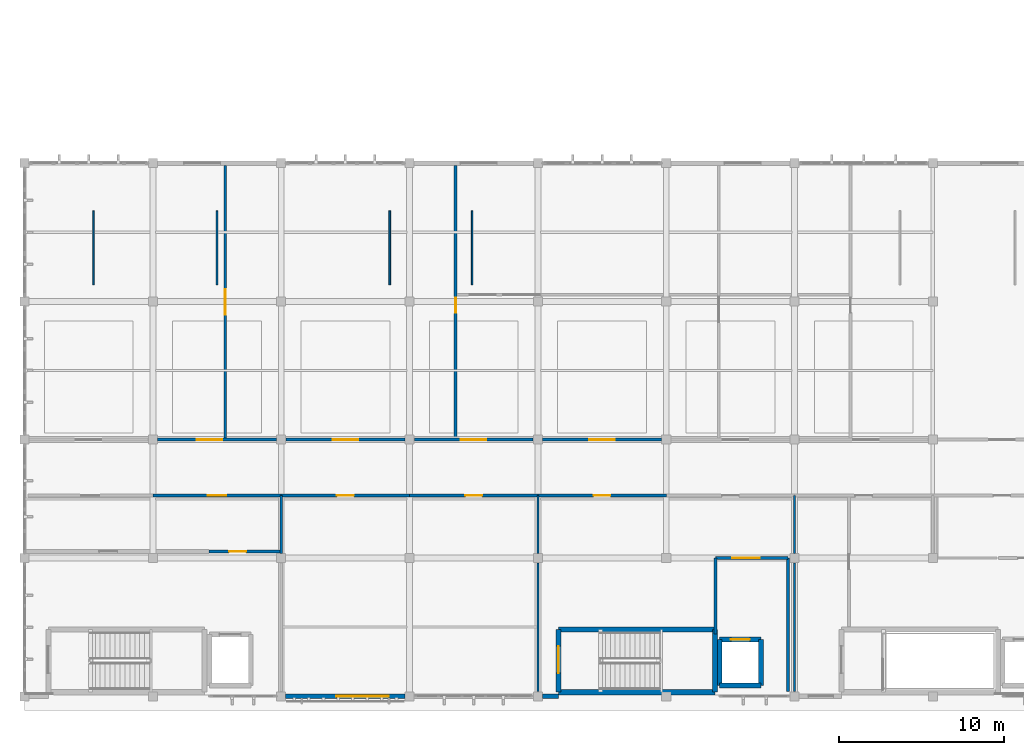
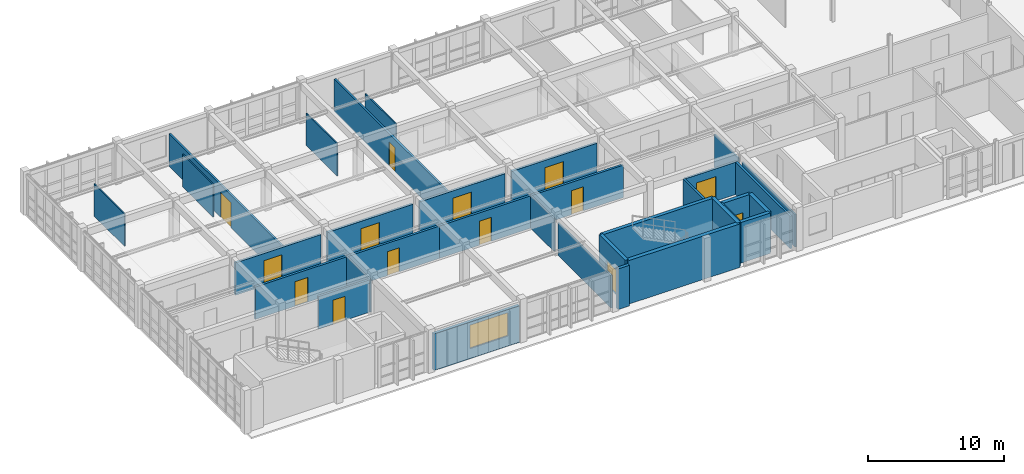
# One storey, part 22 of 35: 33 walls, 14 doors, 1 window, 15 openings.
"""IFC4 building model written with IfcOpenShell, lengths in metres."""

from ifc_helpers import new_model, si_unit, direction, frame, frame_2d, origin, place, context, subcontext, project, spatial, rectangle, extrude, material, layer, layer_set, type_object, element, fill, save


model = new_model("IFC4")

# Units and contexts
model_context = context("Model", 3, precision=1e-05, world=origin(), true_north=direction((0.0, 1.0)))
body_context = subcontext(model_context, "Body", "Model", "MODEL_VIEW")
ifc_project = project(units=[si_unit("LENGTHUNIT", "METRE"), si_unit("AREAUNIT", "SQUARE_METRE"), si_unit("VOLUMEUNIT", "CUBIC_METRE"), si_unit("PLANEANGLEUNIT", "RADIAN"), si_unit("MASSUNIT", "GRAM", prefix="KILO")], contexts=[model_context])

# Site, building, storey
site_placement = place(None, origin())
site = spatial("IfcSite", under=ifc_project, at=site_placement, CompositionType="ELEMENT")
building_placement = place(site_placement, origin())
building = spatial("IfcBuilding", under=site, at=building_placement, Name="Tizgana Railside Sports Hall", CompositionType="ELEMENT")
storey_placement = place(building_placement, frame((0.0, 0.0, 15.89990234375)))
storey = spatial("IfcBuildingStorey", under=building, at=storey_placement, Name="L03", CompositionType="ELEMENT", Elevation=15.89990234375)

# Wall, opening, door
ifc_material_1 = material(Name="Acoustic gypsum stud")
ifc_layer_1 = layer(ifc_material_1, 0.159912109375, Name="Acoustic gypsum stud")
ifc_layer_set_1 = layer_set([ifc_layer_1], Name="Acoustic gypsum stud")
wall_type_1 = type_object("IfcWallType", Name="Clinic Acoustic Partition 160", PredefinedType="STANDARD", material=ifc_layer_set_1)
wall_1_placement = place(storey_placement, frame((20.0, 15.64990234375, 0.0), z_axis=(0.0, 0.0, 1.0), x_axis=(0.0, 1.0, 0.0)))
wall_1 = element("IfcWall", 1, at=wall_1_placement, inside=storey, type_object=wall_type_1, Name="L03 Partition PWAL-0188", PredefinedType="STANDARD", context=body_context, shape_type="SweptSolid", body=[
    extrude(rectangle(XDim=16.610107421875, YDim=0.159912109375, at=frame_2d((8.30517578125, 0.0))), origin(), (0.0, 0.0, 1.0), 2.900146484375),
])
opening_1_placement = place(wall_1_placement, frame((7.52490234375, 0.0, 0.0)))
opening_1 = element("IfcOpeningElement", 2, at=opening_1_placement, cuts=wall_1, Name="Opening D-0209", PredefinedType="OPENING", context=body_context, shape_type="SweptSolid", body=[
    extrude(rectangle(XDim=1.550048828125, YDim=2.25, at=frame_2d((0.77490234375, 1.125))), frame((0.0, 0.08984375, 0.0), z_axis=(0.0, -1.0, 0.0), x_axis=(1.0, 0.0, 0.0)), (0.0, 0.0, 1.0), 0.179931640625),
])
ifc_material_2 = material(Name="Acoustic perforated timber", Category="wood")
door_type_1 = type_object("IfcDoorType", Name="Studio Acoustic Double Door 1550x2250", OperationType="NOTDEFINED", PredefinedType="DOOR", material=ifc_material_2)
door_1_placement = place(opening_1_placement, origin())
door_1 = element("IfcDoor", 3, at=door_1_placement, inside=storey, type_object=door_type_1, Name="L03 Door D-0209", OperationType="DOUBLE_DOOR_SINGLE_SWING", OverallHeight=2.25, OverallWidth=1.550048828125, PredefinedType="DOOR", context=body_context, shape_type="SweptSolid", body=[
    extrude(rectangle(XDim=1.550048828125, YDim=2.25, at=frame_2d((0.77490234375, 1.125))), frame((0.0, 0.02490234375, 0.0), z_axis=(0.0, -1.0, 0.0), x_axis=(1.0, 0.0, 0.0)), (0.0, 0.0, 1.0), 0.050048828125),
])
fill(opening_1, door_1)

# Wall
ifc_material_3 = material(Name="Concrete C40/50", Category="concrete")
ifc_layer_2 = layer(ifc_material_3, 0.300048828125, Name="Concrete C40/50")
ifc_layer_set_2 = layer_set([ifc_layer_2], Name="Concrete C40/50")
wall_type_2 = type_object("IfcWallType", Name="Core Shear Wall 300", PredefinedType="SHEAR", material=ifc_layer_set_2)
wall_2_placement = place(storey_placement, frame((40.25, 4.050048828125, 0.0), z_axis=(0.0, 0.0, 1.0), x_axis=(1.0, 0.0, 0.0)))
element("IfcWall", 4, at=wall_2_placement, inside=storey, type_object=wall_type_2, Name="L03 C2 Shaft Wall N", PredefinedType="SHEAR", context=body_context, shape_type="SweptSolid", body=[
    extrude(rectangle(XDim=9.5, YDim=0.300048828125, at=frame_2d((4.75, 0.0))), origin(), (0.0, 0.0, 1.0), 3.900146484375),
])

# Wall, opening, door
wall_3_placement = place(storey_placement, frame((40.25, 0.25, 0.0), z_axis=(0.0, 0.0, 1.0), x_axis=(0.0, 1.0, 0.0)))
wall_3 = element("IfcWall", 5, at=wall_3_placement, inside=storey, type_object=wall_type_2, Name="L03 C2 Shaft Wall W", PredefinedType="SHEAR", context=body_context, shape_type="SweptSolid", body=[
    extrude(rectangle(XDim=3.800048828125, YDim=0.300048828125, at=frame_2d((1.89990234375, 0.0))), origin(), (0.0, 0.0, 1.0), 3.900146484375),
])
opening_2_placement = place(wall_3_placement, frame((1.14990234375, 0.0, 0.0)))
opening_2 = element("IfcOpeningElement", 6, at=opening_2_placement, cuts=wall_3, Name="Opening D-0054", PredefinedType="OPENING", context=body_context, shape_type="SweptSolid", body=[
    extrude(rectangle(XDim=1.64990234375, YDim=2.199951171875, at=frame_2d((0.824951171875, 1.10009765625))), frame((0.0, 0.159912109375, 0.0), z_axis=(0.0, -1.0, 0.0), x_axis=(1.0, 0.0, 0.0)), (0.0, 0.0, 1.0), 0.320068359375),
])
ifc_material_4 = material(Name="Timber fire leaf", Category="wood")
door_type_2 = type_object("IfcDoorType", Name="Stair Core Double Fire Door 1650x2200", OperationType="NOTDEFINED", PredefinedType="DOOR", material=ifc_material_4)
door_2_placement = place(opening_2_placement, origin())
door_2 = element("IfcDoor", 7, at=door_2_placement, inside=storey, type_object=door_type_2, Name="L03 Door D-0054", OperationType="DOUBLE_DOOR_SINGLE_SWING", OverallHeight=2.199951171875, OverallWidth=1.64990234375, PredefinedType="DOOR", context=body_context, shape_type="SweptSolid", body=[
    extrude(rectangle(XDim=1.64990234375, YDim=2.199951171875, at=frame_2d((0.824951171875, 1.10009765625))), frame((0.0, 0.02490234375, 0.0), z_axis=(0.0, -1.0, 0.0), x_axis=(1.0, 0.0, 0.0)), (0.0, 0.0, 1.0), 0.050048828125),
])
fill(opening_2, door_2)

# Walls
wall_4_placement = place(storey_placement, frame((49.75, 0.25, 0.0), z_axis=(0.0, 0.0, 1.0), x_axis=(0.0, 1.0, 0.0)))
element("IfcWall", 8, at=wall_4_placement, inside=storey, type_object=wall_type_2, Name="L03 C2 Shaft Wall E", PredefinedType="SHEAR", context=body_context, shape_type="SweptSolid", body=[
    extrude(rectangle(XDim=3.800048828125, YDim=0.300048828125, at=frame_2d((1.89990234375, 0.0))), origin(), (0.0, 0.0, 1.0), 3.900146484375),
])
wall_5_placement = place(storey_placement, frame((50.050048828125, 0.64990234375, 0.0), z_axis=(0.0, 0.0, 1.0), x_axis=(1.0, 0.0, 0.0)))
element("IfcWall", 9, at=wall_5_placement, inside=storey, type_object=wall_type_2, Name="L03 LP-01 Shaft Wall S", PredefinedType="SHEAR", context=body_context, shape_type="SweptSolid", body=[
    extrude(rectangle(XDim=2.5, YDim=0.300048828125, at=frame_2d((1.25, 0.0))), origin(), (0.0, 0.0, 1.0), 3.64013671875),
])

# Wall, opening, door
wall_6_placement = place(storey_placement, frame((50.050048828125, 3.449951171875, 0.0), z_axis=(0.0, 0.0, 1.0), x_axis=(1.0, 0.0, 0.0)))
wall_6 = element("IfcWall", 10, at=wall_6_placement, inside=storey, type_object=wall_type_2, Name="L03 LP-01 Shaft Wall N", PredefinedType="SHEAR", context=body_context, shape_type="SweptSolid", body=[
    extrude(rectangle(XDim=2.5, YDim=0.300048828125, at=frame_2d((1.25, 0.0))), origin(), (0.0, 0.0, 1.0), 3.64013671875),
])
opening_3_placement = place(wall_6_placement, frame((0.675048828125, 0.0, 0.0)))
opening_3 = element("IfcOpeningElement", 11, at=opening_3_placement, cuts=wall_6, Name="Opening D-0060", PredefinedType="OPENING", context=body_context, shape_type="SweptSolid", body=[
    extrude(rectangle(XDim=1.14990234375, YDim=2.199951171875, at=frame_2d((0.574951171875, 1.10009765625))), frame((0.0, 0.159912109375, 0.0), z_axis=(0.0, -1.0, 0.0), x_axis=(1.0, 0.0, 0.0)), (0.0, 0.0, 1.0), 0.320068359375),
])
ifc_material_5 = material(Name="Brushed stainless steel", Category="steel")
door_type_3 = type_object("IfcDoorType", Name="Passenger Lift Sliding Door 1150x2200", OperationType="NOTDEFINED", PredefinedType="DOOR", material=ifc_material_5)
door_3_placement = place(opening_3_placement, origin())
door_3 = element("IfcDoor", 12, at=door_3_placement, inside=storey, type_object=door_type_3, Name="L03 Door D-0060", OperationType="DOUBLE_DOOR_SLIDING", OverallHeight=2.199951171875, OverallWidth=1.14990234375, PredefinedType="DOOR", context=body_context, shape_type="SweptSolid", body=[
    extrude(rectangle(XDim=1.14990234375, YDim=2.199951171875, at=frame_2d((0.574951171875, 1.10009765625))), frame((0.0, 0.02490234375, 0.0), z_axis=(0.0, -1.0, 0.0), x_axis=(1.0, 0.0, 0.0)), (0.0, 0.0, 1.0), 0.050048828125),
])
fill(opening_3, door_3)

# Walls
for number, where, z_axis, x_axis, name in (
    (13, (50.050048828125, 0.64990234375, 0.0), (0.0, 0.0, 1.0), (0.0, 1.0, 0.0), "L03 LP-01 Shaft Wall W"),
    (14, (52.550048828125, 0.64990234375, 0.0), (0.0, 0.0, 1.0), (0.0, 1.0, 0.0), "L03 LP-01 Shaft Wall E"),
):
    element("IfcWall", number, at=place(storey_placement, frame(where, z_axis=z_axis, x_axis=x_axis)), inside=storey, type_object=wall_type_2, Name=name, PredefinedType="SHEAR", context=body_context, shape_type="SweptSolid", body=[
        extrude(rectangle(XDim=2.800048828125, YDim=0.300048828125, at=frame_2d((1.39990234375, 0.0))), origin(), (0.0, 0.0, 1.0), 3.64013671875),
    ])

# Wall, opening, door
ifc_material_6 = material(Name="Masonry blockwork", Category="masonry")
ifc_layer_3 = layer(ifc_material_6, 0.199951171875, Name="Masonry blockwork")
ifc_layer_set_3 = layer_set([ifc_layer_3], Name="Masonry blockwork")
wall_type_3 = type_object("IfcWallType", Name="Corridor Compartment Partition 200", PredefinedType="STANDARD", material=ifc_layer_set_3)
wall_7_placement = place(storey_placement, frame((15.885009765625, 15.60009765625, 0.0), z_axis=(0.0, 0.0, 1.0), x_axis=(1.0, 0.0, 0.0)))
wall_7 = element("IfcWall", 15, at=wall_7_placement, inside=storey, type_object=wall_type_3, Name="L03 Partition PWAL-0156", PredefinedType="STANDARD", context=body_context, shape_type="SweptSolid", body=[
    extrude(rectangle(XDim=7.22998046875, YDim=0.199951171875, at=frame_2d((3.614990234375, 0.0))), origin(), (0.0, 0.0, 1.0), 2.900146484375),
])
opening_4_placement = place(wall_7_placement, frame((2.389892578125, 0.0, 0.0)))
opening_4 = element("IfcOpeningElement", 16, at=opening_4_placement, cuts=wall_7, Name="Opening D-0190", PredefinedType="OPENING", context=body_context, shape_type="SweptSolid", body=[
    extrude(rectangle(XDim=1.550048828125, YDim=2.25, at=frame_2d((0.77490234375, 1.125))), frame((0.0, 0.10986328125, 0.0), z_axis=(0.0, -1.0, 0.0), x_axis=(1.0, 0.0, 0.0)), (0.0, 0.0, 1.0), 0.219970703125),
])
door_4_placement = place(opening_4_placement, origin())
door_4 = element("IfcDoor", 17, at=door_4_placement, inside=storey, type_object=door_type_1, Name="L03 Door D-0190", OperationType="DOUBLE_DOOR_SINGLE_SWING", OverallHeight=2.25, OverallWidth=1.550048828125, PredefinedType="DOOR", context=body_context, shape_type="SweptSolid", body=[
    extrude(rectangle(XDim=1.550048828125, YDim=2.25, at=frame_2d((0.77490234375, 1.125))), frame((0.0, 0.02490234375, 0.0), z_axis=(0.0, -1.0, 0.0), x_axis=(1.0, 0.0, 0.0)), (0.0, 0.0, 1.0), 0.050048828125),
])
fill(opening_4, door_4)

wall_8_placement = place(storey_placement, frame((15.60009765625, 12.199951171875, 0.0), z_axis=(0.0, 0.0, 1.0), x_axis=(1.0, 0.0, 0.0)))
wall_8 = element("IfcWall", 18, at=wall_8_placement, inside=storey, type_object=wall_type_3, Name="L03 Partition PWAL-0157", PredefinedType="STANDARD", context=body_context, shape_type="SweptSolid", body=[
    extrude(rectangle(XDim=7.7998046875, YDim=0.199951171875, at=frame_2d((3.89990234375, 0.0))), origin(), (0.0, 0.0, 1.0), 2.900146484375),
])
opening_5_placement = place(wall_8_placement, frame((3.35009765625, 0.0, 0.0)))
opening_5 = element("IfcOpeningElement", 19, at=opening_5_placement, cuts=wall_8, Name="Opening D-0191", PredefinedType="OPENING", context=body_context, shape_type="SweptSolid", body=[
    extrude(rectangle(XDim=1.10009765625, YDim=2.199951171875, at=frame_2d((0.550048828125, 1.10009765625))), frame((0.0, 0.10986328125, 0.0), z_axis=(0.0, -1.0, 0.0), x_axis=(1.0, 0.0, 0.0)), (0.0, 0.0, 1.0), 0.219970703125),
])
door_type_4 = type_object("IfcDoorType", Name="Firefighting Lobby Fire Door 1100x2200", OperationType="NOTDEFINED", PredefinedType="DOOR", material=ifc_material_4)
door_5_placement = place(opening_5_placement, origin())
door_5 = element("IfcDoor", 20, at=door_5_placement, inside=storey, type_object=door_type_4, Name="L03 Door D-0191", OperationType="SINGLE_SWING_RIGHT", OverallHeight=2.199951171875, OverallWidth=1.10009765625, PredefinedType="DOOR", context=body_context, shape_type="SweptSolid", body=[
    extrude(rectangle(XDim=1.10009765625, YDim=2.199951171875, at=frame_2d((0.550048828125, 1.10009765625))), frame((0.0, 0.02490234375, 0.0), z_axis=(0.0, -1.0, 0.0), x_axis=(1.0, 0.0, 0.0)), (0.0, 0.0, 1.0), 0.050048828125),
])
fill(opening_5, door_5)

wall_9_placement = place(storey_placement, frame((23.68505859375, 15.60009765625, 0.0), z_axis=(0.0, 0.0, 1.0), x_axis=(1.0, 0.0, 0.0)))
wall_9 = element("IfcWall", 21, at=wall_9_placement, inside=storey, type_object=wall_type_3, Name="L03 Partition PWAL-0158", PredefinedType="STANDARD", context=body_context, shape_type="SweptSolid", body=[
    extrude(rectangle(XDim=7.22998046875, YDim=0.199951171875, at=frame_2d((3.614990234375, 0.0))), origin(), (0.0, 0.0, 1.0), 2.900146484375),
])
opening_6_placement = place(wall_9_placement, frame((2.840087890625, 0.0, 0.0)))
opening_6 = element("IfcOpeningElement", 22, at=opening_6_placement, cuts=wall_9, Name="Opening D-0192", PredefinedType="OPENING", context=body_context, shape_type="SweptSolid", body=[
    extrude(rectangle(XDim=1.550048828125, YDim=2.25, at=frame_2d((0.77490234375, 1.125))), frame((0.0, 0.10986328125, 0.0), z_axis=(0.0, -1.0, 0.0), x_axis=(1.0, 0.0, 0.0)), (0.0, 0.0, 1.0), 0.219970703125),
])
door_6_placement = place(opening_6_placement, origin())
door_6 = element("IfcDoor", 23, at=door_6_placement, inside=storey, type_object=door_type_1, Name="L03 Door D-0192", OperationType="DOUBLE_DOOR_SINGLE_SWING", OverallHeight=2.25, OverallWidth=1.550048828125, PredefinedType="DOOR", context=body_context, shape_type="SweptSolid", body=[
    extrude(rectangle(XDim=1.550048828125, YDim=2.25, at=frame_2d((0.77490234375, 1.125))), frame((0.0, 0.02490234375, 0.0), z_axis=(0.0, -1.0, 0.0), x_axis=(1.0, 0.0, 0.0)), (0.0, 0.0, 1.0), 0.050048828125),
])
fill(opening_6, door_6)

wall_10_placement = place(storey_placement, frame((23.39990234375, 12.199951171875, 0.0), z_axis=(0.0, 0.0, 1.0), x_axis=(1.0, 0.0, 0.0)))
wall_10 = element("IfcWall", 24, at=wall_10_placement, inside=storey, type_object=wall_type_3, Name="L03 Partition PWAL-0159", PredefinedType="STANDARD", context=body_context, shape_type="SweptSolid", body=[
    extrude(rectangle(XDim=7.800048828125, YDim=0.199951171875, at=frame_2d((3.89990234375, 0.0))), origin(), (0.0, 0.0, 1.0), 2.900146484375),
])
opening_7_placement = place(wall_10_placement, frame((3.389892578125, 0.0, 0.0)))
opening_7 = element("IfcOpeningElement", 25, at=opening_7_placement, cuts=wall_10, Name="Opening D-0193", PredefinedType="OPENING", context=body_context, shape_type="SweptSolid", body=[
    extrude(rectangle(XDim=1.02001953125, YDim=2.14990234375, at=frame_2d((0.510009765625, 1.074951171875))), frame((0.0, 0.10986328125, 0.0), z_axis=(0.0, -1.0, 0.0), x_axis=(1.0, 0.0, 0.0)), (0.0, 0.0, 1.0), 0.219970703125),
])
ifc_material_7 = material(Name="Solid beech timber", Category="wood")
door_type_5 = type_object("IfcDoorType", Name="Accessible Changing & WC Door 1020x2150", OperationType="NOTDEFINED", PredefinedType="DOOR", material=ifc_material_7)
door_7_placement = place(opening_7_placement, origin())
door_7 = element("IfcDoor", 26, at=door_7_placement, inside=storey, type_object=door_type_5, Name="L03 Door D-0193", OperationType="SINGLE_SWING_LEFT", OverallHeight=2.14990234375, OverallWidth=1.02001953125, PredefinedType="DOOR", context=body_context, shape_type="SweptSolid", body=[
    extrude(rectangle(XDim=1.02001953125, YDim=2.14990234375, at=frame_2d((0.510009765625, 1.074951171875))), frame((0.0, 0.02490234375, 0.0), z_axis=(0.0, -1.0, 0.0), x_axis=(1.0, 0.0, 0.0)), (0.0, 0.0, 1.0), 0.050048828125),
])
fill(opening_7, door_7)

wall_11_placement = place(storey_placement, frame((31.485107421875, 15.60009765625, 0.0), z_axis=(0.0, 0.0, 1.0), x_axis=(1.0, 0.0, 0.0)))
wall_11 = element("IfcWall", 27, at=wall_11_placement, inside=storey, type_object=wall_type_3, Name="L03 Partition PWAL-0160", PredefinedType="STANDARD", context=body_context, shape_type="SweptSolid", body=[
    extrude(rectangle(XDim=7.22998046875, YDim=0.199951171875, at=frame_2d((3.614990234375, 0.0))), origin(), (0.0, 0.0, 1.0), 2.900146484375),
])
opening_8_placement = place(wall_11_placement, frame((2.840087890625, 0.0, 0.0)))
opening_8 = element("IfcOpeningElement", 28, at=opening_8_placement, cuts=wall_11, Name="Opening D-0194", PredefinedType="OPENING", context=body_context, shape_type="SweptSolid", body=[
    extrude(rectangle(XDim=1.550048828125, YDim=2.25, at=frame_2d((0.77490234375, 1.125))), frame((0.0, 0.10986328125, 0.0), z_axis=(0.0, -1.0, 0.0), x_axis=(1.0, 0.0, 0.0)), (0.0, 0.0, 1.0), 0.219970703125),
])
door_8_placement = place(opening_8_placement, origin())
door_8 = element("IfcDoor", 29, at=door_8_placement, inside=storey, type_object=door_type_1, Name="L03 Door D-0194", OperationType="DOUBLE_DOOR_SINGLE_SWING", OverallHeight=2.25, OverallWidth=1.550048828125, PredefinedType="DOOR", context=body_context, shape_type="SweptSolid", body=[
    extrude(rectangle(XDim=1.550048828125, YDim=2.25, at=frame_2d((0.77490234375, 1.125))), frame((0.0, 0.02490234375, 0.0), z_axis=(0.0, -1.0, 0.0), x_axis=(1.0, 0.0, 0.0)), (0.0, 0.0, 1.0), 0.050048828125),
])
fill(opening_8, door_8)

wall_12_placement = place(storey_placement, frame((31.199951171875, 12.199951171875, 0.0), z_axis=(0.0, 0.0, 1.0), x_axis=(1.0, 0.0, 0.0)))
wall_12 = element("IfcWall", 30, at=wall_12_placement, inside=storey, type_object=wall_type_3, Name="L03 Partition PWAL-0161", PredefinedType="STANDARD", context=body_context, shape_type="SweptSolid", body=[
    extrude(rectangle(XDim=7.800048828125, YDim=0.199951171875, at=frame_2d((3.89990234375, 0.0))), origin(), (0.0, 0.0, 1.0), 2.900146484375),
])
opening_9_placement = place(wall_12_placement, frame((3.389892578125, 0.0, 0.0)))
opening_9 = element("IfcOpeningElement", 31, at=opening_9_placement, cuts=wall_12, Name="Opening D-0195", PredefinedType="OPENING", context=body_context, shape_type="SweptSolid", body=[
    extrude(rectangle(XDim=1.02001953125, YDim=2.14990234375, at=frame_2d((0.510009765625, 1.074951171875))), frame((0.0, 0.10986328125, 0.0), z_axis=(0.0, -1.0, 0.0), x_axis=(1.0, 0.0, 0.0)), (0.0, 0.0, 1.0), 0.219970703125),
])
door_9_placement = place(opening_9_placement, origin())
door_9 = element("IfcDoor", 32, at=door_9_placement, inside=storey, type_object=door_type_5, Name="L03 Door D-0195", OperationType="SINGLE_SWING_RIGHT", OverallHeight=2.14990234375, OverallWidth=1.02001953125, PredefinedType="DOOR", context=body_context, shape_type="SweptSolid", body=[
    extrude(rectangle(XDim=1.02001953125, YDim=2.14990234375, at=frame_2d((0.510009765625, 1.074951171875))), frame((0.0, 0.02490234375, 0.0), z_axis=(0.0, -1.0, 0.0), x_axis=(1.0, 0.0, 0.0)), (0.0, 0.0, 1.0), 0.050048828125),
])
fill(opening_9, door_9)

wall_13_placement = place(storey_placement, frame((39.284912109375, 15.60009765625, 0.0), z_axis=(0.0, 0.0, 1.0), x_axis=(1.0, 0.0, 0.0)))
wall_13 = element("IfcWall", 33, at=wall_13_placement, inside=storey, type_object=wall_type_3, Name="L03 Partition PWAL-0162", PredefinedType="STANDARD", context=body_context, shape_type="SweptSolid", body=[
    extrude(rectangle(XDim=7.22998046875, YDim=0.199951171875, at=frame_2d((3.614990234375, 0.0))), origin(), (0.0, 0.0, 1.0), 2.900146484375),
])
opening_10_placement = place(wall_13_placement, frame((2.840087890625, 0.0, 0.0)))
opening_10 = element("IfcOpeningElement", 34, at=opening_10_placement, cuts=wall_13, Name="Opening D-0196", PredefinedType="OPENING", context=body_context, shape_type="SweptSolid", body=[
    extrude(rectangle(XDim=1.550048828125, YDim=2.25, at=frame_2d((0.77490234375, 1.125))), frame((0.0, 0.10986328125, 0.0), z_axis=(0.0, -1.0, 0.0), x_axis=(1.0, 0.0, 0.0)), (0.0, 0.0, 1.0), 0.219970703125),
])
door_10_placement = place(opening_10_placement, origin())
door_10 = element("IfcDoor", 35, at=door_10_placement, inside=storey, type_object=door_type_1, Name="L03 Door D-0196", OperationType="DOUBLE_DOOR_SINGLE_SWING", OverallHeight=2.25, OverallWidth=1.550048828125, PredefinedType="DOOR", context=body_context, shape_type="SweptSolid", body=[
    extrude(rectangle(XDim=1.550048828125, YDim=2.25, at=frame_2d((0.77490234375, 1.125))), frame((0.0, 0.02490234375, 0.0), z_axis=(0.0, -1.0, 0.0), x_axis=(1.0, 0.0, 0.0)), (0.0, 0.0, 1.0), 0.050048828125),
])
fill(opening_10, door_10)

wall_14_placement = place(storey_placement, frame((39.0, 12.199951171875, 0.0), z_axis=(0.0, 0.0, 1.0), x_axis=(1.0, 0.0, 0.0)))
wall_14 = element("IfcWall", 36, at=wall_14_placement, inside=storey, type_object=wall_type_3, Name="L03 Partition PWAL-0163", PredefinedType="STANDARD", context=body_context, shape_type="SweptSolid", body=[
    extrude(rectangle(XDim=7.800048828125, YDim=0.199951171875, at=frame_2d((3.89990234375, 0.0))), origin(), (0.0, 0.0, 1.0), 2.900146484375),
])
opening_11_placement = place(wall_14_placement, frame((3.389892578125, 0.0, 0.0)))
opening_11 = element("IfcOpeningElement", 37, at=opening_11_placement, cuts=wall_14, Name="Opening D-0197", PredefinedType="OPENING", context=body_context, shape_type="SweptSolid", body=[
    extrude(rectangle(XDim=1.02001953125, YDim=2.14990234375, at=frame_2d((0.510009765625, 1.074951171875))), frame((0.0, 0.10986328125, 0.0), z_axis=(0.0, -1.0, 0.0), x_axis=(1.0, 0.0, 0.0)), (0.0, 0.0, 1.0), 0.219970703125),
])
door_11_placement = place(opening_11_placement, origin())
door_11 = element("IfcDoor", 38, at=door_11_placement, inside=storey, type_object=door_type_5, Name="L03 Door D-0197", OperationType="SINGLE_SWING_LEFT", OverallHeight=2.14990234375, OverallWidth=1.02001953125, PredefinedType="DOOR", context=body_context, shape_type="SweptSolid", body=[
    extrude(rectangle(XDim=1.02001953125, YDim=2.14990234375, at=frame_2d((0.510009765625, 1.074951171875))), frame((0.0, 0.02490234375, 0.0), z_axis=(0.0, -1.0, 0.0), x_axis=(1.0, 0.0, 0.0)), (0.0, 0.0, 1.0), 0.050048828125),
])
fill(opening_11, door_11)

# Wall
ifc_material_8 = material(Name="Concrete C35/45", Category="concrete")
ifc_layer_4 = layer(ifc_material_8, 0.340087890625, Name="Concrete C35/45")
ifc_layer_set_4 = layer_set([ifc_layer_4], Name="Concrete C35/45")
wall_type_4 = type_object("IfcWallType", Name="Exterior Insulated Concrete Wall 340", PredefinedType="STANDARD", material=ifc_layer_set_4)
wall_15_placement = place(storey_placement, frame((49.75, 0.25, 0.0), z_axis=(0.0, 0.0, 1.0), x_axis=(-1.0, 0.0, 0.0)))
element("IfcWall", 39, at=wall_15_placement, inside=storey, type_object=wall_type_4, Name="L03 C2 Shaft Wall S", PredefinedType="STANDARD", context=body_context, shape_type="SweptSolid", body=[
    extrude(rectangle(XDim=9.5, YDim=0.340087890625, at=frame_2d((4.75, 0.0))), origin(), (0.0, 0.0, 1.0), 3.900146484375),
])

# Wall, opening, window
ifc_material_9 = material(Name="Precast concrete C40/50", Category="concrete")
ifc_layer_5 = layer(ifc_material_9, 0.27001953125, Name="Precast concrete C40/50")
ifc_layer_set_5 = layer_set([ifc_layer_5], Name="Precast concrete C40/50")
wall_type_5 = type_object("IfcWallType", Name="Exterior Studio Facade Wall 270", PredefinedType="STANDARD", material=ifc_layer_set_5)
wall_16_placement = place(storey_placement, frame((30.93505859375, 0.0, 0.0), z_axis=(0.0, 0.0, 1.0), x_axis=(-1.0, 0.0, 0.0)))
wall_16 = element("IfcWall", 40, at=wall_16_placement, inside=storey, type_object=wall_type_5, Name="L03 Exterior Wall EWAL-0111", PredefinedType="STANDARD", context=body_context, shape_type="SweptSolid", body=[
    extrude(rectangle(XDim=7.27001953125, YDim=0.27001953125, at=frame_2d((3.635009765625, 0.0))), origin(), (0.0, 0.0, 1.0), 3.27099609375),
])
opening_12_placement = place(wall_16_placement, frame((0.985107421875, 0.0, 0.89990234375)))
opening_12 = element("IfcOpeningElement", 41, at=opening_12_placement, cuts=wall_16, Name="Opening W-0082", PredefinedType="OPENING", context=body_context, shape_type="SweptSolid", body=[
    extrude(rectangle(XDim=3.199951171875, YDim=2.10009765625, at=frame_2d((1.60009765625, 1.050048828125))), frame((0.0, 0.14501953125, 0.0), z_axis=(0.0, -1.0, 0.0), x_axis=(1.0, 0.0, 0.0)), (0.0, 0.0, 1.0), 0.2900390625),
])
ifc_material_10 = material(Name="Double low-E laminated glass", Category="glass")
window_type = type_object("IfcWindowType", Name="Studio Wide Window 3200x2100", PartitioningType="SINGLE_PANEL", PredefinedType="WINDOW", material=ifc_material_10)
window_placement = place(opening_12_placement, origin())
window = element("IfcWindow", 42, at=window_placement, inside=storey, type_object=window_type, Name="L03 Window W-0082", OverallHeight=2.10009765625, OverallWidth=3.199951171875, PartitioningType="SINGLE_PANEL", PredefinedType="WINDOW", context=body_context, shape_type="SweptSolid", body=[
    extrude(rectangle(XDim=3.199951171875, YDim=2.10009765625, at=frame_2d((1.60009765625, 1.050048828125))), frame((0.0, 0.030029296875, 0.0), z_axis=(0.0, -1.0, 0.0), x_axis=(1.0, 0.0, 0.0)), (0.0, 0.0, 1.0), 0.06005859375),
])
fill(opening_12, window)

# Walls
wall_17_placement = place(storey_placement, frame((40.2451171875, 0.0, 0.0), z_axis=(0.0, 0.0, 1.0), x_axis=(-1.0, 0.0, 0.0)))
element("IfcWall", 43, at=wall_17_placement, inside=storey, type_object=wall_type_5, Name="L03 Exterior Wall EWAL-0112", PredefinedType="STANDARD", context=body_context, shape_type="SweptSolid", body=[
    extrude(rectangle(XDim=0.980224609375, YDim=0.27001953125, at=frame_2d((0.490234375, 0.0))), origin(), (0.0, 0.0, 1.0), 3.64013671875),
])
ifc_layer_6 = layer(ifc_material_1, 0.1298828125, Name="Acoustic gypsum stud")
ifc_layer_set_6 = layer_set([ifc_layer_6], Name="Acoustic gypsum stud")
wall_type_6 = type_object("IfcWallType", Name="General Interior Partition 130", PredefinedType="STANDARD", material=ifc_layer_set_6)
wall_18_placement = place(storey_placement, frame((23.39990234375, 8.68505859375, 0.0), z_axis=(0.0, 0.0, 1.0), x_axis=(0.0, 1.0, 0.0)))
element("IfcWall", 44, at=wall_18_placement, inside=storey, type_object=wall_type_6, Name="L03 Partition PWAL-0176", PredefinedType="STANDARD", context=body_context, shape_type="SweptSolid", body=[
    extrude(rectangle(XDim=3.514892578125, YDim=0.1298828125, at=frame_2d((1.75732421875, 0.0))), origin(), (0.0, 0.0, 1.0), 2.900146484375),
])
wall_19_placement = place(storey_placement, frame((39.0, 0.284912109375, 0.0), z_axis=(0.0, 0.0, 1.0), x_axis=(0.0, 1.0, 0.0)))
element("IfcWall", 45, at=wall_19_placement, inside=storey, type_object=wall_type_6, Name="L03 Partition PWAL-0177", PredefinedType="STANDARD", context=body_context, shape_type="SweptSolid", body=[
    extrude(rectangle(XDim=7.830078125, YDim=0.1298828125, at=frame_2d((3.9150390625, 0.0))), origin(), (0.0, 0.0, 1.0), 2.900146484375),
])
wall_20_placement = place(storey_placement, frame((39.0, 8.68505859375, 0.0), z_axis=(0.0, 0.0, 1.0), x_axis=(0.0, 1.0, 0.0)))
element("IfcWall", 46, at=wall_20_placement, inside=storey, type_object=wall_type_6, Name="L03 Partition PWAL-0178", PredefinedType="STANDARD", context=body_context, shape_type="SweptSolid", body=[
    extrude(rectangle(XDim=3.514892578125, YDim=0.1298828125, at=frame_2d((1.75732421875, 0.0))), origin(), (0.0, 0.0, 1.0), 2.900146484375),
])
wall_21_placement = place(storey_placement, frame((54.60009765625, 0.284912109375, 0.0), z_axis=(0.0, 0.0, 1.0), x_axis=(0.0, 1.0, 0.0)))
element("IfcWall", 47, at=wall_21_placement, inside=storey, type_object=wall_type_6, Name="L03 Partition PWAL-0179", PredefinedType="STANDARD", context=body_context, shape_type="SweptSolid", body=[
    extrude(rectangle(XDim=7.830078125, YDim=0.1298828125, at=frame_2d((3.9150390625, 0.0))), origin(), (0.0, 0.0, 1.0), 2.900146484375),
])
wall_22_placement = place(storey_placement, frame((54.60009765625, 8.68505859375, 0.0), z_axis=(0.0, 0.0, 1.0), x_axis=(0.0, 1.0, 0.0)))
element("IfcWall", 48, at=wall_22_placement, inside=storey, type_object=wall_type_6, Name="L03 Partition PWAL-0180", PredefinedType="STANDARD", context=body_context, shape_type="SweptSolid", body=[
    extrude(rectangle(XDim=3.514892578125, YDim=0.1298828125, at=frame_2d((1.75732421875, 0.0))), origin(), (0.0, 0.0, 1.0), 2.900146484375),
])
ifc_layer_7 = layer(ifc_material_1, 0.10009765625, Name="Acoustic gypsum stud")
ifc_layer_set_7 = layer_set([ifc_layer_7], Name="Acoustic gypsum stud")
wall_type_7 = type_object("IfcWallType", Name="Locker Alcove Partition 100", PredefinedType="STANDARD", material=ifc_layer_set_7)
for number, where, z_axis, x_axis, name in (
    (49, (12.0, 25.0, 0.0), (0.0, 0.0, 1.0), (0.0, 1.0, 0.0), "L03 Partition PWAL-0190"),
    (50, (19.5, 25.0, 0.0), (0.0, 0.0, 1.0), (0.0, 1.0, 0.0), "L03 Partition PWAL-0191"),
    (51, (30.0, 25.0, 0.0), (0.0, 0.0, 1.0), (0.0, 1.0, 0.0), "L03 Partition PWAL-0192"),
    (52, (35.0, 25.0, 0.0), (0.0, 0.0, 1.0), (0.0, 1.0, 0.0), "L03 Partition PWAL-0193"),
):
    element("IfcWall", number, at=place(storey_placement, frame(where, z_axis=z_axis, x_axis=x_axis)), inside=storey, type_object=wall_type_7, Name=name, PredefinedType="STANDARD", context=body_context, shape_type="SweptSolid", body=[
        extrude(rectangle(XDim=4.5, YDim=0.10009765625, at=frame_2d((2.25, 0.0))), origin(), (0.0, 0.0, 1.0), 2.900146484375),
    ])

# Wall, opening, door
ifc_layer_8 = layer(ifc_material_6, 0.179931640625, Name="Masonry blockwork")
ifc_layer_set_8 = layer_set([ifc_layer_8], Name="Masonry blockwork")
wall_type_8 = type_object("IfcWallType", Name="Riser and Shaft Wall 180", PredefinedType="STANDARD", material=ifc_layer_set_8)
wall_23_placement = place(storey_placement, frame((19.0, 8.800048828125, 0.0), z_axis=(0.0, 0.0, 1.0), x_axis=(1.0, 0.0, 0.0)))
wall_23 = element("IfcWall", 53, at=wall_23_placement, inside=storey, type_object=wall_type_8, Name="L03 Partition PWAL-0305", PredefinedType="STANDARD", context=body_context, shape_type="SweptSolid", body=[
    extrude(rectangle(XDim=4.330078125, YDim=0.179931640625, at=frame_2d((2.1650390625, 0.0))), origin(), (0.0, 0.0, 1.0), 2.900146484375),
])
opening_13_placement = place(wall_23_placement, frame((1.239990234375, 0.0, 0.0)))
opening_13 = element("IfcOpeningElement", 54, at=opening_13_placement, cuts=wall_23, Name="Opening D-0283", PredefinedType="OPENING", context=body_context, shape_type="SweptSolid", body=[
    extrude(rectangle(XDim=1.02001953125, YDim=2.14990234375, at=frame_2d((0.510009765625, 1.074951171875))), frame((0.0, 0.099853515625, 0.0), z_axis=(0.0, -1.0, 0.0), x_axis=(1.0, 0.0, 0.0)), (0.0, 0.0, 1.0), 0.199951171875),
])
door_12_placement = place(opening_13_placement, origin())
door_12 = element("IfcDoor", 55, at=door_12_placement, inside=storey, type_object=door_type_5, Name="L03 Door D-0283", OperationType="SINGLE_SWING_RIGHT", OverallHeight=2.14990234375, OverallWidth=1.02001953125, PredefinedType="DOOR", context=body_context, shape_type="SweptSolid", body=[
    extrude(rectangle(XDim=1.02001953125, YDim=2.14990234375, at=frame_2d((0.510009765625, 1.074951171875))), frame((0.0, 0.02490234375, 0.0), z_axis=(0.0, -1.0, 0.0), x_axis=(1.0, 0.0, 0.0)), (0.0, 0.0, 1.0), 0.050048828125),
])
fill(opening_13, door_12)

# Wall
wall_24_placement = place(storey_placement, frame((49.800048828125, 3.800048828125, 0.0), z_axis=(0.0, 0.0, 1.0), x_axis=(0.0, 1.0, 0.0)))
element("IfcWall", 56, at=wall_24_placement, inside=storey, type_object=wall_type_8, Name="L03 Partition PWAL-0371", PredefinedType="STANDARD", context=body_context, shape_type="SweptSolid", body=[
    extrude(rectangle(XDim=4.599853515625, YDim=0.179931640625, at=frame_2d((2.2998046875, 0.0))), origin(), (0.0, 0.0, 1.0), 2.900146484375),
])

# Wall, opening, door
wall_25_placement = place(storey_placement, frame((49.800048828125, 8.39990234375, 0.0), z_axis=(0.0, 0.0, 1.0), x_axis=(1.0, 0.0, 0.0)))
wall_25 = element("IfcWall", 57, at=wall_25_placement, inside=storey, type_object=wall_type_8, Name="L03 Partition PWAL-0372", PredefinedType="STANDARD", context=body_context, shape_type="SweptSolid", body=[
    extrude(rectangle(XDim=4.39990234375, YDim=0.179931640625, at=frame_2d((2.199951171875, 0.0))), origin(), (0.0, 0.0, 1.0), 2.900146484375),
])
opening_14_placement = place(wall_25_placement, frame((1.02490234375, 0.0, 0.0)))
opening_14 = element("IfcOpeningElement", 58, at=opening_14_placement, cuts=wall_25, Name="Opening D-0321", PredefinedType="OPENING", context=body_context, shape_type="SweptSolid", body=[
    extrude(rectangle(XDim=1.64990234375, YDim=2.199951171875, at=frame_2d((0.824951171875, 1.10009765625))), frame((0.0, 0.099853515625, 0.0), z_axis=(0.0, -1.0, 0.0), x_axis=(1.0, 0.0, 0.0)), (0.0, 0.0, 1.0), 0.199951171875),
])
door_13_placement = place(opening_14_placement, origin())
door_13 = element("IfcDoor", 59, at=door_13_placement, inside=storey, type_object=door_type_2, Name="L03 Door D-0321", OperationType="DOUBLE_DOOR_SINGLE_SWING", OverallHeight=2.199951171875, OverallWidth=1.64990234375, PredefinedType="DOOR", context=body_context, shape_type="SweptSolid", body=[
    extrude(rectangle(XDim=1.64990234375, YDim=2.199951171875, at=frame_2d((0.824951171875, 1.10009765625))), frame((0.0, 0.02490234375, 0.0), z_axis=(0.0, -1.0, 0.0), x_axis=(1.0, 0.0, 0.0)), (0.0, 0.0, 1.0), 0.050048828125),
])
fill(opening_14, door_13)

# Wall
wall_26_placement = place(storey_placement, frame((54.199951171875, 0.300048828125, 0.0), z_axis=(0.0, 0.0, 1.0), x_axis=(0.0, 1.0, 0.0)))
element("IfcWall", 60, at=wall_26_placement, inside=storey, type_object=wall_type_8, Name="L03 Partition PWAL-0373", PredefinedType="STANDARD", context=body_context, shape_type="SweptSolid", body=[
    extrude(rectangle(XDim=8.099853515625, YDim=0.179931640625, at=frame_2d((4.0498046875, 0.0))), origin(), (0.0, 0.0, 1.0), 2.900146484375),
])

# Wall, opening, door
ifc_layer_9 = layer(ifc_material_1, 0.169921875, Name="Acoustic gypsum stud")
ifc_layer_set_9 = layer_set([ifc_layer_9], Name="Acoustic gypsum stud")
wall_type_9 = type_object("IfcWallType", Name="Studio Acoustic Partition 170", PredefinedType="STANDARD", material=ifc_layer_set_9)
wall_27_placement = place(storey_placement, frame((34.0, 15.60009765625, 0.0), z_axis=(0.0, 0.0, 1.0), x_axis=(0.0, 1.0, 0.0)))
wall_27 = element("IfcWall", 61, at=wall_27_placement, inside=storey, type_object=wall_type_9, Name="L03 Partition PWAL-0173", PredefinedType="STANDARD", context=body_context, shape_type="SweptSolid", body=[
    extrude(rectangle(XDim=16.659912109375, YDim=0.169921875, at=frame_2d((8.330078125, 0.0))), origin(), (0.0, 0.0, 1.0), 2.900146484375),
])
opening_15_placement = place(wall_27_placement, frame((7.715087890625, 0.0, 0.0)))
opening_15 = element("IfcOpeningElement", 62, at=opening_15_placement, cuts=wall_27, Name="Opening D-0207", PredefinedType="OPENING", context=body_context, shape_type="SweptSolid", body=[
    extrude(rectangle(XDim=0.919921875, YDim=2.14990234375, at=frame_2d((0.4599609375, 1.074951171875))), frame((0.0, 0.094970703125, 0.0), z_axis=(0.0, -1.0, 0.0), x_axis=(1.0, 0.0, 0.0)), (0.0, 0.0, 1.0), 0.18994140625),
])
door_type_6 = type_object("IfcDoorType", Name="Consultation & Coaching Door 920x2150", OperationType="NOTDEFINED", PredefinedType="DOOR", material=ifc_material_7)
door_14_placement = place(opening_15_placement, origin())
door_14 = element("IfcDoor", 63, at=door_14_placement, inside=storey, type_object=door_type_6, Name="L03 Door D-0207", OperationType="SINGLE_SWING_LEFT", OverallHeight=2.14990234375, OverallWidth=0.919921875, PredefinedType="DOOR", context=body_context, shape_type="SweptSolid", body=[
    extrude(rectangle(XDim=0.919921875, YDim=2.14990234375, at=frame_2d((0.4599609375, 1.074951171875))), frame((0.0, 0.02490234375, 0.0), z_axis=(0.0, -1.0, 0.0), x_axis=(1.0, 0.0, 0.0)), (0.0, 0.0, 1.0), 0.050048828125),
])
fill(opening_15, door_14)

save(model, "model.ifc")
